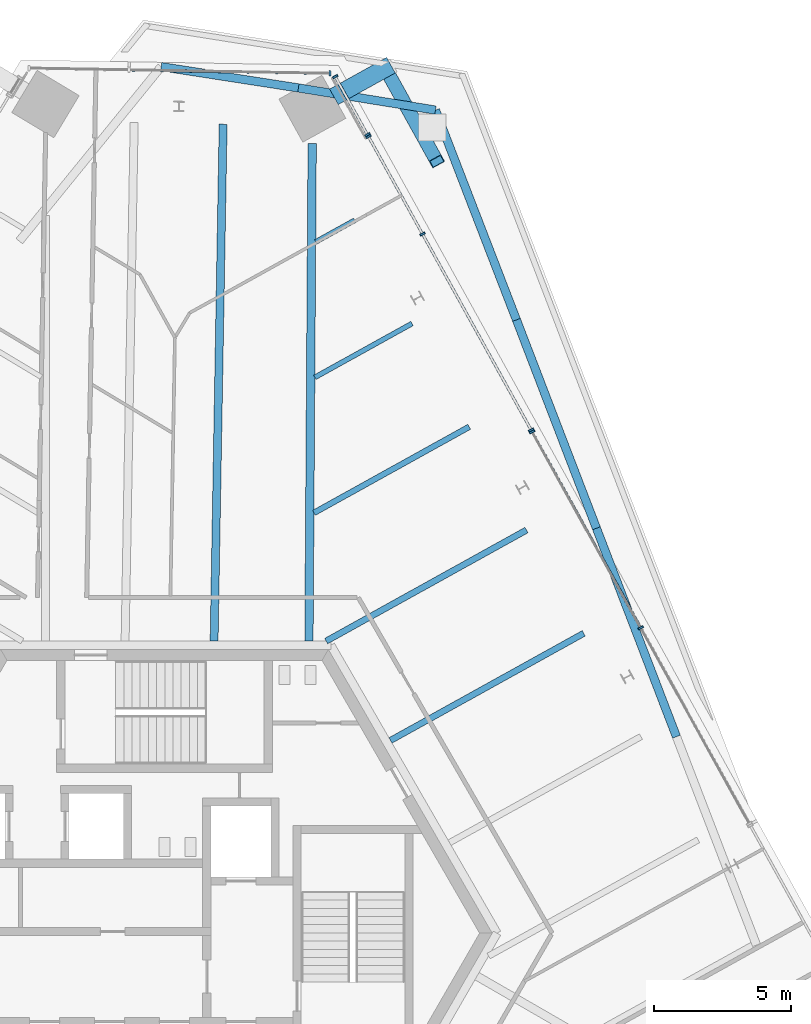
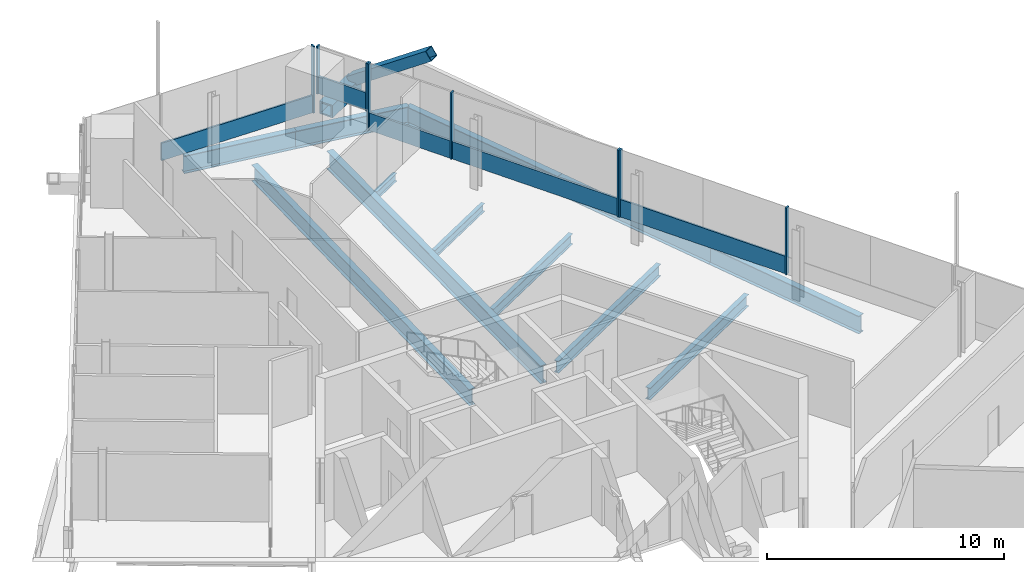
# One storey, part 9 of 22: 15 members, 12 beams, 4 elements without a shape of their own.
"""IFC4 building model written with IfcOpenShell, lengths in metres."""

import ifcopenshell
import ifcopenshell.guid

model = None  # the IFC model being written
_history = None  # IfcOwnerHistory: only IFC2X3 demands one
_inside = {}  # id of a spatial element -> (the spatial element, [elements in it])
_under = {}  # id of a project, library or spatial element -> (it, [spatial elements below it])
_declared = {}  # id of a project -> (the project, [libraries it declares])
_typed = {}  # id of a type object -> (the type object, [elements of that type])
_made_of = {}  # id of a material, layer set ... -> (it, [elements and type objects made of it])


def new_model(schema):
    """Start an empty IFC model of exactly this schema.

    Asked for "IFC4X3", IfcOpenShell would pick the latest addendum, in which some entities
    have other attributes; the version numbers below select the first issue.
    IFC2X3 requires an IfcOwnerHistory on every rooted entity: one is made here for all.
    """
    global model, _history
    if schema == "IFC4X3":
        model = ifcopenshell.file(schema_version=(4, 3, 0, 0))
    else:
        model = ifcopenshell.file(schema=schema)
    _inside.clear()
    _under.clear()
    _declared.clear()
    _typed.clear()
    _made_of.clear()
    _history = None
    if model.schema == "IFC2X3":
        org = make("IfcOrganization", Name="unknown")
        user = make(
            "IfcPersonAndOrganization",
            ThePerson=make("IfcPerson", FamilyName="unknown"),
            TheOrganization=org,
        )
        app = make(
            "IfcApplication",
            ApplicationDeveloper=org,
            Version="unknown",
            ApplicationFullName="unknown",
            ApplicationIdentifier="unknown",
        )
        _history = make(
            "IfcOwnerHistory",
            OwningUser=user,
            OwningApplication=app,
            ChangeAction="ADDED",
            CreationDate=0,
        )
    return model


def make(cls, **values):
    """One entity of the class cls with the attributes given. An attribute that is None is left unset."""
    return model.create_entity(
        cls, **{name: value for name, value in values.items() if value is not None}
    )


def rooted(cls, **values):
    """An entity with a GlobalId (a new one), such as an element, a storey or a relation."""
    return make(cls, GlobalId=ifcopenshell.guid.new(), OwnerHistory=_history, **values)


def si_unit(unit_type, name, prefix=None):
    """IfcSIUnit, for example si_unit("LENGTHUNIT", "METRE", prefix="MILLI")."""
    return make("IfcSIUnit", UnitType=unit_type, Prefix=prefix, Name=name)


def assignment(units):
    """IfcUnitAssignment: the units of a project."""
    return None if units is None else make("IfcUnitAssignment", Units=units)


def point(xyz):
    """IfcCartesianPoint."""
    return None if xyz is None else make("IfcCartesianPoint", Coordinates=xyz)


def direction(xyz):
    """IfcDirection."""
    return None if xyz is None else make("IfcDirection", DirectionRatios=xyz)


def frame(location, z_axis=None, x_axis=None):
    """IfcAxis2Placement3D, a coordinate frame: its origin and axes. An axis left out is left unset."""
    return make(
        "IfcAxis2Placement3D",
        Location=point(location),
        Axis=direction(z_axis),
        RefDirection=direction(x_axis),
    )


def frame_2d(location, x_axis=None):
    """IfcAxis2Placement2D, a coordinate frame in the plane: its origin and x axis."""
    return make(
        "IfcAxis2Placement2D", Location=point(location), RefDirection=direction(x_axis)
    )


def origin():
    """The frame at (0, 0, 0) with its axes left unset."""
    return frame((0.0, 0.0, 0.0))


def origin_2d():
    """The frame at (0, 0) in the plane with its x axis left unset."""
    return frame_2d((0.0, 0.0))


def place(relative_to, where):
    """IfcLocalPlacement: puts the frame where relative to a parent placement (None: the world)."""
    return make(
        "IfcLocalPlacement", PlacementRelTo=relative_to, RelativePlacement=where
    )


def context(
    kind, dimensions, precision=None, world=None, true_north=None, identifier=None
):
    """IfcGeometricRepresentationContext, for example the 3D "Model" context."""
    return make(
        "IfcGeometricRepresentationContext",
        ContextIdentifier=identifier,
        ContextType=kind,
        CoordinateSpaceDimension=dimensions,
        Precision=precision,
        WorldCoordinateSystem=world,
        TrueNorth=true_north,
    )


def subcontext(parent, identifier, kind, view, scale=None):
    """IfcGeometricRepresentationSubContext, for example "Body" below "Model"."""
    return make(
        "IfcGeometricRepresentationSubContext",
        ContextIdentifier=identifier,
        ContextType=kind,
        ParentContext=parent,
        TargetScale=scale,
        TargetView=view,
    )


def project(units=None, contexts=None):
    """IfcProject with its units and contexts."""
    return rooted(
        "IfcProject",
        Name="project",
        RepresentationContexts=contexts,
        UnitsInContext=assignment(units),
    )


def spatial(cls, under=None, at=None, **own):
    """A site, building, storey or space (cls), placed at a placement, below another one or the project."""
    s = rooted(cls, ObjectPlacement=at, **own)
    if under is not None:
        _under.setdefault(under.id(), (under, []))[1].append(s)
    return s


def profile(cls, at=None, kind="AREA", **sizes):
    """A parametric profile (cls). Its sizes go by their IFC names, for example OverallWidth=200.0."""
    return make(cls, ProfileType=kind, Position=at, **sizes)


def rectangle(**sizes):
    """IfcRectangleProfileDef."""
    return profile("IfcRectangleProfileDef", **sizes)


def hollow_rectangle(**sizes):
    """IfcRectangleHollowProfileDef."""
    return profile("IfcRectangleHollowProfileDef", **sizes)


def i_section(**sizes):
    """IfcIShapeProfileDef."""
    return profile("IfcIShapeProfileDef", **sizes)


def extrude(swept, where, along, depth):
    """IfcExtrudedAreaSolid: the profile swept, set in the frame where, extruded along a direction by depth."""
    return make(
        "IfcExtrudedAreaSolid",
        SweptArea=swept,
        Position=where,
        ExtrudedDirection=direction(along),
        Depth=depth,
    )


def shape(context_of_items, identifier, shape_type, items):
    """IfcShapeRepresentation: the items that make up one representation, for example the "Body"."""
    return make(
        "IfcShapeRepresentation",
        ContextOfItems=context_of_items,
        RepresentationIdentifier=identifier,
        RepresentationType=shape_type,
        Items=items,
    )


def source(mapping_origin, context_of_items, identifier, shape_type, items):
    """IfcRepresentationMap: a shape defined once, which mapped items show again and again."""
    return make(
        "IfcRepresentationMap",
        MappingOrigin=mapping_origin,
        MappedRepresentation=shape(context_of_items, identifier, shape_type, items),
    )


def transform(
    local_origin,
    x_axis=None,
    y_axis=None,
    z_axis=None,
    scale=None,
    scale2=None,
    scale3=None,
    uniform=True,
):
    """IfcCartesianTransformationOperator3D, or its non-uniform kind. x_axis, y_axis, z_axis: its Axis1, 2, 3."""
    if uniform:
        return make(
            "IfcCartesianTransformationOperator3D",
            Axis1=direction(x_axis),
            Axis2=direction(y_axis),
            LocalOrigin=point(local_origin),
            Scale=scale,
            Axis3=direction(z_axis),
        )
    return make(
        "IfcCartesianTransformationOperator3DnonUniform",
        Axis1=direction(x_axis),
        Axis2=direction(y_axis),
        LocalOrigin=point(local_origin),
        Scale=scale,
        Axis3=direction(z_axis),
        Scale2=scale2,
        Scale3=scale3,
    )


def mapped(mapping_source, mapping_target):
    """IfcMappedItem: shows the shape of a source again, moved by a transform."""
    return make(
        "IfcMappedItem", MappingSource=mapping_source, MappingTarget=mapping_target
    )


def material(Name=None, Category=None):
    """IfcMaterial."""
    return make("IfcMaterial", Name=Name, Category=Category)


def material_profile(
    of_material, cross_section, Name=None, Category=None, Priority=None
):
    """IfcMaterialProfile: a cross section and its material."""
    return make(
        "IfcMaterialProfile",
        Name=Name,
        Material=of_material,
        Profile=cross_section,
        Priority=Priority,
        Category=Category,
    )


def profile_set(profiles, Name=None, composite=None):
    """IfcMaterialProfileSet."""
    return make(
        "IfcMaterialProfileSet",
        Name=Name,
        MaterialProfiles=profiles,
        CompositeProfile=composite,
    )


def made_of(thing, what):
    """Note that an element or type object is made of a material, layer set ...; save() writes the relation."""
    if what is not None:
        _made_of.setdefault(what.id(), (what, []))[1].append(thing)
    return thing


def type_object(cls, material=None, **own):
    """A type object (cls), such as IfcWallType, which elements share."""
    return made_of(rooted(cls, **own), material)


def element(
    cls,
    number,
    at=None,
    inside=None,
    cuts=None,
    type_object=None,
    material=None,
    context=None,
    identifier="Body",
    shape_type=None,
    held_by="IfcProductDefinitionShape",
    body=None,
    shapes=None,
    **own,
):
    """One element of the class cls, such as IfcWall. Its Tag is "e" and its number.

    at: its placement. inside: the storey or other place that contains it. cuts: it is an
    opening in that element (IfcRelVoidsElement). A single representation is given by context,
    identifier, shape_type and body (its items); several are given by shapes. held_by: the class
    of the entity that holds the representations. save() writes the other relations.
    """
    e = rooted(cls, Tag="e%d" % number, ObjectPlacement=at, **own)
    if body is not None:
        shapes = [shape(context, identifier, shape_type, body)]
    if shapes is not None:
        e.Representation = make(held_by, Representations=shapes)
    if inside is not None:
        _inside.setdefault(inside.id(), (inside, []))[1].append(e)
    if cuts is not None:
        rooted(
            "IfcRelVoidsElement", RelatingBuildingElement=cuts, RelatedOpeningElement=e
        )
    if type_object is not None:
        _typed.setdefault(type_object.id(), (type_object, []))[1].append(e)
    return made_of(e, material)


def aggregate(whole, parts):
    """IfcRelAggregates: a whole, such as a stair, and the parts it consists of."""
    return rooted("IfcRelAggregates", RelatingObject=whole, RelatedObjects=parts)


def save(model, path):
    """Write the relations noted so far, then the file.

    IfcRelAggregates (storeys below a building ...), IfcRelContainedInSpatialStructure (elements
    in a storey), IfcRelDefinesByType, IfcRelAssociatesMaterial and IfcRelDeclares: one each for
    every whole, place, type object, material and project.
    """
    for whole, parts in _under.values():
        aggregate(whole, parts)
    for where, things in _inside.values():
        rooted(
            "IfcRelContainedInSpatialStructure",
            RelatedElements=things,
            RelatingStructure=where,
        )
    for kind, things in _typed.values():
        rooted("IfcRelDefinesByType", RelatedObjects=things, RelatingType=kind)
    for what, things in _made_of.values():
        rooted("IfcRelAssociatesMaterial", RelatedObjects=things, RelatingMaterial=what)
    for by, libraries in _declared.values():
        rooted("IfcRelDeclares", RelatingContext=by, RelatedDefinitions=libraries)
    model.write(path)


model = new_model("IFC4")

# Units and contexts
model_context = context("Model", 3, precision=1e-05, world=origin(), true_north=direction((0.0, 1.0)))
body_context = subcontext(model_context, "Body", "Model", "MODEL_VIEW")
ifc_project = project(units=[si_unit("LENGTHUNIT", "METRE"), si_unit("AREAUNIT", "SQUARE_METRE"), si_unit("VOLUMEUNIT", "CUBIC_METRE"), si_unit("PLANEANGLEUNIT", "RADIAN"), si_unit("MASSUNIT", "GRAM", prefix="KILO")], contexts=[model_context])

# Site, building, storey
site_placement = place(None, origin())
site = spatial("IfcSite", under=ifc_project, at=site_placement, CompositionType="ELEMENT")
building_placement = place(site_placement, origin())
building = spatial("IfcBuilding", under=site, at=building_placement, Name="Triune Harvest Tower", CompositionType="ELEMENT")
storey_placement = place(building_placement, frame((0.0, 0.0, 179.89990234375)))
storey = spatial("IfcBuildingStorey", under=building, at=storey_placement, Name="L46", CompositionType="ELEMENT", Elevation=179.89990234375)

# Beams
ifc_material_1 = material(Name="Steel ASTM A992 Gr 50", Category="steel")
ifc_material_profile_1 = material_profile(ifc_material_1, i_section(OverallWidth=0.307373046875, OverallDepth=0.922119140625, WebThickness=0.018310546875, FlangeThickness=0.030029296875, at=origin_2d()), Name="W36x182")
ifc_profile_set_1 = profile_set([ifc_material_profile_1], Name="Steel ASTM A992 Gr 50")
beam_type_1 = type_object("IfcBeamType", Name="HG-2 Hip girder W36x182", PredefinedType="BEAM", material=ifc_profile_set_1)
beam_1_placement = place(storey_placement, frame((5.40771484375, 28.918701171875, -0.620849609375), z_axis=(-0.006511464935, -0.999978800187, 0.0), x_axis=(0.999978800187, -0.006511464935, 0.0)))
element("IfcBeam", 1, at=beam_1_placement, inside=storey, type_object=beam_type_1, Name="beam/L46/HG3", PredefinedType="BEAM", context=body_context, shape_type="SweptSolid", body=[
    extrude(i_section(OverallWidth=0.307373046875, OverallDepth=0.922119140625, WebThickness=0.018310546875, FlangeThickness=0.030029296875, at=origin_2d()), origin(), (0.0, 0.0, 1.0), 18.22216796875),
])
ifc_material_2 = material(Name="Steel ASTM A992 Gr 50", Category="steel")
ifc_material_profile_2 = material_profile(ifc_material_2, i_section(OverallWidth=0.2099609375, OverallDepth=0.535888671875, WebThickness=0.010986328125, FlangeThickness=0.017333984375, at=origin_2d()), Name="W21x68")
ifc_profile_set_2 = profile_set([ifc_material_profile_2], Name="Steel ASTM A992 Gr 50")
beam_type_2 = type_object("IfcBeamType", Name="JT-2 Floor joist W21x68", PredefinedType="JOIST", material=ifc_profile_set_2)
beam_2_placement = place(storey_placement, frame((11.158203125, 18.544677734375, -0.427978515625), z_axis=(-0.874605153915, -0.484835874028, 0.0), x_axis=(0.484835874028, -0.874605153915, 0.0)))
element("IfcBeam", 2, at=beam_2_placement, inside=storey, type_object=beam_type_2, Name="beam/L46/JT8", PredefinedType="JOIST", context=body_context, shape_type="SweptSolid", body=[
    extrude(i_section(OverallWidth=0.2099609375, OverallDepth=0.535888671875, WebThickness=0.010986328125, FlangeThickness=0.017333984375, at=origin_2d()), origin(), (0.0, 0.0, 1.0), 6.499755859375),
])

# Curtain wall, member
ifc_material_3 = material(Name="Aluminium bronze anodised", Category="aluminium")
curtain_wall_type_1 = type_object("IfcCurtainWallType", Name="CW-7 Tower stick curtain wall with insulated spandrel infill", PredefinedType="NOTDEFINED", material=ifc_material_3)
curtain_wall_1_placement = place(storey_placement, origin())
curtain_wall_1 = element("IfcCurtainWall", 3, at=curtain_wall_1_placement, inside=storey, type_object=curtain_wall_type_1, Name="CW-7 B5-F1 L46 run 2101")
ifc_material_4 = material(Name="Aluminium bronze anodised", Category="aluminium")
ifc_material_profile_3 = material_profile(ifc_material_4, rectangle(XDim=0.090087890625, YDim=0.89990234375, at=origin_2d()), Name="TR-1 transom 90 x 900")
ifc_profile_set_3 = profile_set([ifc_material_profile_3], Name="Aluminium bronze anodised")
member_type_1 = type_object("IfcMemberType", Name="TR-1 transom 90 x 900", PredefinedType="USERDEFINED", material=ifc_profile_set_3)
member_1_placement = place(storey_placement, frame((9.430419921875, 25.63720703125, 0.4501953125), z_axis=(-0.48481530532, 0.874616555828, 0.0), x_axis=(-0.874616555828, -0.48481530532, 0.0)))
member_1 = element("IfcMember", 4, at=member_1_placement, type_object=member_type_1, Name="CW-7 transom B5-F1 2101.2", ObjectType="TRANSOM", PredefinedType="USERDEFINED", context=body_context, shape_type="SweptSolid", body=[
    extrude(rectangle(XDim=0.090087890625, YDim=0.89990234375, at=origin_2d()), origin(), (0.0, 0.0, 1.0), 4.008544921875),
])

curtain_wall_2_placement = place(storey_placement, origin())
curtain_wall_2 = element("IfcCurtainWall", 5, at=curtain_wall_2_placement, inside=storey, type_object=curtain_wall_type_1, Name="CW-7 B5-F1 L46 run 201")
member_2_placement = place(storey_placement, frame((7.414306640625, 29.274169921875, 1.43505859375), z_axis=(-0.484808028928, 0.87462058922, 0.0), x_axis=(-0.87462058922, -0.484808028928, 0.0)))
member_2 = element("IfcMember", 6, at=member_2_placement, type_object=member_type_1, Name="CW-7 transom B5-F1 201.1", ObjectType="TRANSOM", PredefinedType="USERDEFINED", context=body_context, shape_type="SweptSolid", body=[
    extrude(rectangle(XDim=0.090087890625, YDim=0.89990234375, at=origin_2d()), origin(), (0.0, 0.0, 1.0), 2.359375),
])

# Beams
ifc_material_5 = material(Name="Steel ASTM A992 Gr 50", Category="steel")
ifc_material_profile_4 = material_profile(ifc_material_5, i_section(OverallWidth=0.3046875, OverallDepth=0.914306640625, WebThickness=0.0166015625, FlangeThickness=0.02587890625, at=origin_2d()), Name="W36x160")
ifc_profile_set_4 = profile_set([ifc_material_profile_4], Name="Steel ASTM A992 Gr 50")
beam_type_3 = type_object("IfcBeamType", Name="SB-1 Spandrel beam W36x160", PredefinedType="SPANDREL", material=ifc_profile_set_4)
shared_shape_1 = source(origin(), body_context, "Body", "SweptSolid", [
    extrude(i_section(OverallWidth=0.3046875, OverallDepth=0.914306640625, WebThickness=0.0166015625, FlangeThickness=0.02587890625, at=origin_2d()), origin(), (0.0, 0.0, 1.0), 8.235107421875),
])
beam_3_placement = place(storey_placement, frame((12.888671875, 22.460693359375, -0.6171875), z_axis=(-0.360174728542, 0.932884861556, 0.0), x_axis=(-0.932884861556, -0.360174728542, 0.0)))
element("IfcBeam", 7, at=beam_3_placement, inside=storey, type_object=beam_type_3, Name="beam/L46/WB5", PredefinedType="SPANDREL", context=body_context, shape_type="MappedRepresentation", body=[
    mapped(shared_shape_1, transform((0.0, 0.0, 0.0), scale=1.0)),
])
shared_shape_2 = source(origin(), body_context, "Body", "SweptSolid", [
    extrude(i_section(OverallWidth=0.3046875, OverallDepth=0.914306640625, WebThickness=0.0166015625, FlangeThickness=0.02587890625, at=origin_2d()), origin(), (0.0, 0.0, 1.0), 8.175048828125),
])
beam_4_placement = place(storey_placement, frame((15.818359375, 14.82861328125, -0.6171875), z_axis=(-0.358368636722, 0.933580162714, 0.0), x_axis=(-0.933580162714, -0.358368636722, 0.0)))
element("IfcBeam", 8, at=beam_4_placement, inside=storey, type_object=beam_type_3, Name="beam/L46/WB4", PredefinedType="SPANDREL", context=body_context, shape_type="MappedRepresentation", body=[
    mapped(shared_shape_2, transform((0.0, 0.0, 0.0), scale=1.0)),
])
shared_shape_3 = source(origin(), body_context, "Body", "SweptSolid", [
    extrude(i_section(OverallWidth=0.3046875, OverallDepth=0.914306640625, WebThickness=0.0166015625, FlangeThickness=0.02587890625, at=origin_2d()), origin(), (0.0, 0.0, 1.0), 8.1748046875),
])
beam_5_placement = place(storey_placement, frame((18.748046875, 7.19677734375, -0.6171875), z_axis=(-0.358378628473, 0.933576327171, 0.0), x_axis=(-0.933576327171, -0.358378628473, 0.0)))
element("IfcBeam", 9, at=beam_5_placement, inside=storey, type_object=beam_type_3, Name="beam/L46/WB3", PredefinedType="SPANDREL", context=body_context, shape_type="MappedRepresentation", body=[
    mapped(shared_shape_3, transform((0.0, 0.0, 0.0), scale=1.0)),
])
shared_shape_4 = source(origin(), body_context, "Body", "SweptSolid", [
    extrude(i_section(OverallWidth=0.3046875, OverallDepth=0.914306640625, WebThickness=0.0166015625, FlangeThickness=0.02587890625, at=origin_2d()), origin(), (0.0, 0.0, 1.0), 5.085205078125),
])
beam_6_placement = place(storey_placement, frame((9.922607421875, 30.14306640625, -0.6171875), z_axis=(-0.987191650598, 0.159538851033, 0.0), x_axis=(-0.159538851033, -0.987191650598, 0.0)))
element("IfcBeam", 10, at=beam_6_placement, inside=storey, type_object=beam_type_3, Name="beam/L46/WB6", PredefinedType="SPANDREL", context=body_context, shape_type="MappedRepresentation", body=[
    mapped(shared_shape_4, transform((0.0, 0.0, 0.0), scale=1.0)),
])
shared_shape_5 = source(origin(), body_context, "Body", "SweptSolid", [
    extrude(i_section(OverallWidth=0.3046875, OverallDepth=0.914306640625, WebThickness=0.0166015625, FlangeThickness=0.02587890625, at=origin_2d()), origin(), (0.0, 0.0, 1.0), 5.0849609375),
])
beam_7_placement = place(storey_placement, frame((4.902587890625, 30.954345703125, -0.6171875), z_axis=(-0.98817942164, 0.153301763351, 0.0), x_axis=(-0.153301763351, -0.98817942164, 0.0)))
element("IfcBeam", 11, at=beam_7_placement, inside=storey, type_object=beam_type_3, Name="beam/L46/WB7", PredefinedType="SPANDREL", context=body_context, shape_type="MappedRepresentation", body=[
    mapped(shared_shape_5, transform((0.0, 0.0, 0.0), scale=1.0)),
])
ifc_material_6 = material(Name="Steel ASTM A992 Gr 50", Category="steel")
ifc_material_profile_5 = material_profile(ifc_material_6, i_section(OverallWidth=0.22900390625, OverallDepth=0.612060546875, WebThickness=0.011962890625, FlangeThickness=0.01953125, at=origin_2d()), Name="W24x84")
ifc_profile_set_5 = profile_set([ifc_material_profile_5], Name="Steel ASTM A992 Gr 50")
beam_type_4 = type_object("IfcBeamType", Name="JT-3 Floor joist W24x84", PredefinedType="JOIST", material=ifc_profile_set_5)
shared_shape_6 = source(origin(), body_context, "Body", "SweptSolid", [
    extrude(i_section(OverallWidth=0.22900390625, OverallDepth=0.612060546875, WebThickness=0.011962890625, FlangeThickness=0.01953125, at=origin_2d()), origin(), (0.0, 0.0, 1.0), 8.0888671875),
])
beam_8_placement = place(storey_placement, frame((15.350830078125, 10.98095703125, -0.466064453125), z_axis=(-0.874616734073, -0.484814983761, 0.0), x_axis=(0.484814983761, -0.874616734073, 0.0)))
element("IfcBeam", 12, at=beam_8_placement, inside=storey, type_object=beam_type_4, Name="beam/L46/JT6", PredefinedType="JOIST", context=body_context, shape_type="MappedRepresentation", body=[
    mapped(shared_shape_6, transform((0.0, 0.0, 0.0), scale=1.0)),
])
shared_shape_7 = source(origin(), body_context, "Body", "SweptSolid", [
    extrude(i_section(OverallWidth=0.22900390625, OverallDepth=0.612060546875, WebThickness=0.011962890625, FlangeThickness=0.01953125, at=origin_2d()), origin(), (0.0, 0.0, 1.0), 8.38623046875),
])
beam_9_placement = place(storey_placement, frame((13.254638671875, 14.7626953125, -0.466064453125), z_axis=(-0.874621025914, -0.484807241106, 0.0), x_axis=(0.484807241106, -0.874621025914, 0.0)))
element("IfcBeam", 13, at=beam_9_placement, inside=storey, type_object=beam_type_4, Name="beam/L46/JT7", PredefinedType="JOIST", context=body_context, shape_type="MappedRepresentation", body=[
    mapped(shared_shape_7, transform((0.0, 0.0, 0.0), scale=1.0)),
])
ifc_material_7 = material(Name="Steel ASTM A992 Gr 50", Category="steel")
ifc_material_profile_6 = material_profile(ifc_material_7, i_section(OverallWidth=0.180908203125, OverallDepth=0.41650390625, WebThickness=0.010986328125, FlangeThickness=0.01806640625, at=origin_2d()), Name="W16x57")
ifc_profile_set_6 = profile_set([ifc_material_profile_6], Name="Steel ASTM A992 Gr 50")
beam_type_5 = type_object("IfcBeamType", Name="JT-1 Floor joist W16x57", PredefinedType="JOIST", material=ifc_profile_set_6)
shared_shape_8 = source(origin(), body_context, "Body", "SweptSolid", [
    extrude(i_section(OverallWidth=0.180908203125, OverallDepth=0.41650390625, WebThickness=0.010986328125, FlangeThickness=0.01806640625, at=origin_2d()), origin(), (0.0, 0.0, 1.0), 4.066162109375),
])
beam_10_placement = place(storey_placement, frame((9.06201171875, 22.326416015625, -0.3681640625), z_axis=(-0.874610031481, -0.484827075185, 0.0), x_axis=(0.484827075185, -0.874610031481, 0.0)))
element("IfcBeam", 14, at=beam_10_placement, inside=storey, type_object=beam_type_5, Name="beam/L46/JT9", PredefinedType="JOIST", context=body_context, shape_type="MappedRepresentation", body=[
    mapped(shared_shape_8, transform((0.0, 0.0, 0.0), scale=1.0)),
])
shared_shape_9 = source(origin(), body_context, "Body", "SweptSolid", [
    extrude(i_section(OverallWidth=0.180908203125, OverallDepth=0.41650390625, WebThickness=0.010986328125, FlangeThickness=0.01806640625, at=origin_2d()), origin(), (0.0, 0.0, 1.0), 1.63232421875),
])
beam_11_placement = place(storey_placement, frame((6.9658203125, 26.108154296875, -0.3681640625), z_axis=(-0.874657713708, -0.484741048243, 0.0), x_axis=(0.484741048243, -0.874657713708, 0.0)))
element("IfcBeam", 15, at=beam_11_placement, inside=storey, type_object=beam_type_5, Name="beam/L46/JT10", PredefinedType="JOIST", context=body_context, shape_type="MappedRepresentation", body=[
    mapped(shared_shape_9, transform((0.0, 0.0, 0.0), scale=1.0)),
])
ifc_material_8 = material(Name="Steel ASTM A992 Gr 50", Category="steel")
ifc_material_profile_7 = material_profile(ifc_material_8, i_section(OverallWidth=0.2919921875, OverallDepth=0.8408203125, WebThickness=0.0146484375, FlangeThickness=0.021728515625, at=origin_2d()), Name="W33x130")
ifc_profile_set_7 = profile_set([ifc_material_profile_7], Name="Steel ASTM A992 Gr 50")
beam_type_6 = type_object("IfcBeamType", Name="JT-6 Floor joist W33x130", PredefinedType="JOIST", material=ifc_profile_set_7)
shared_shape_10 = source(origin(), body_context, "Body", "SweptSolid", [
    extrude(i_section(OverallWidth=0.2919921875, OverallDepth=0.8408203125, WebThickness=0.0146484375, FlangeThickness=0.021728515625, at=origin_2d()), origin(), (0.0, 0.0, 1.0), 18.930908203125),
])
beam_12_placement = place(storey_placement, frame((2.146728515625, 29.625, -0.580322265625), z_axis=(-0.017448877386, -0.99984775675, 0.0), x_axis=(0.99984775675, -0.017448877386, 0.0)))
element("IfcBeam", 16, at=beam_12_placement, inside=storey, type_object=beam_type_6, Name="beam/L46/JT11", PredefinedType="JOIST", context=body_context, shape_type="MappedRepresentation", body=[
    mapped(shared_shape_10, transform((0.0, 0.0, 0.0), scale=1.0)),
])

# Members
ifc_material_9 = material(Name="Steel ASTM A572 Gr 50", Category="steel")
ifc_material_profile_8 = material_profile(ifc_material_9, hollow_rectangle(XDim=0.5, YDim=0.5, WallThickness=0.030029296875, at=origin_2d()), Name="Box 500x500x30")
ifc_profile_set_8 = profile_set([ifc_material_profile_8], Name="Steel ASTM A572 Gr 50")
member_type_2 = type_object("IfcMemberType", Name="BR-3 Brace Box 500x500x30", PredefinedType="BRACE", material=ifc_profile_set_8)
shared_shape_11 = source(origin(), body_context, "Body", "SweptSolid", [
    extrude(hollow_rectangle(XDim=0.5, YDim=0.5, WallThickness=0.030029296875, at=origin_2d()), origin(), (0.0, 0.0, 1.0), 4.74462890625),
])
member_3_placement = place(storey_placement, frame((8.08544921875, 31.672607421875, 0.89013671875), z_axis=(0.397960909457, -0.717914482641, 0.571161894876), x_axis=(0.874612261352, 0.484823052559, 0.0)))
element("IfcMember", 17, at=member_3_placement, inside=storey, type_object=member_type_2, Name="brace/B5-F1/d2/1", PredefinedType="BRACE", context=body_context, shape_type="MappedRepresentation", body=[
    mapped(shared_shape_11, transform((0.0, 0.0, 0.0), scale=1.0)),
])
ifc_material_10 = material(Name="Steel ASTM A572 Gr 50", Category="steel")
ifc_material_profile_9 = material_profile(ifc_material_10, hollow_rectangle(XDim=0.64990234375, YDim=0.64990234375, WallThickness=0.070068359375, at=origin_2d()), Name="Box 650x650x70")
ifc_profile_set_9 = profile_set([ifc_material_profile_9], Name="Steel ASTM A572 Gr 50")
member_type_3 = type_object("IfcMemberType", Name="BS-1 Brace stub Box 650x650x70", PredefinedType="STRUT", material=ifc_profile_set_9)
shared_shape_12 = source(origin(), body_context, "Body", "SweptSolid", [
    extrude(hollow_rectangle(XDim=0.64990234375, YDim=0.64990234375, WallThickness=0.070068359375, at=origin_2d()), origin(), (0.0, 0.0, 1.0), 2.386962890625),
])
member_4_placement = place(storey_placement, frame((6.203369140625, 30.62939453125, 0.60009765625), z_axis=(0.874615226924, 0.48481770268, 0.0), x_axis=(-0.48481770268, 0.874615226924, 0.0)))
element("IfcMember", 18, at=member_4_placement, inside=storey, type_object=member_type_3, Name="brace/B5-F1/stub3", PredefinedType="STRUT", context=body_context, shape_type="MappedRepresentation", body=[
    mapped(shared_shape_12, transform((0.0, 0.0, 0.0), scale=1.0)),
])

# Curtain wall, members
ifc_material_11 = material(Name="Aluminium bronze anodised", Category="aluminium")
curtain_wall_type_2 = type_object("IfcCurtainWallType", Name="CW-1 Tower stick curtain wall", PredefinedType="NOTDEFINED", material=ifc_material_11)
curtain_wall_3_placement = place(storey_placement, origin())
curtain_wall_3 = element("IfcCurtainWall", 19, at=curtain_wall_3_placement, inside=storey, type_object=curtain_wall_type_2, Name="CW-1 B5-F1 L46 run 1101")
ifc_material_12 = material(Name="Aluminium bronze anodised", Category="aluminium")
ifc_material_profile_10 = material_profile(ifc_material_12, rectangle(XDim=0.199951171875, YDim=0.074951171875, at=origin_2d()), Name="MU-1 mullion 75 x 200")
ifc_profile_set_10 = profile_set([ifc_material_profile_10], Name="Aluminium bronze anodised")
member_type_4 = type_object("IfcMemberType", Name="MU-1 mullion 75 x 200", PredefinedType="MULLION", material=ifc_profile_set_10)
shared_shape_13 = source(origin(), body_context, "Body", "SweptSolid", [
    extrude(rectangle(XDim=0.199951171875, YDim=0.074951171875, at=origin_2d()), origin(), (0.0, 0.0, 1.0), 3.440185546875),
])
member_5_placement = place(storey_placement, frame((17.440185546875, 11.18701171875, 0.0), z_axis=(0.0, 0.0, 1.0), x_axis=(-0.874620733173, -0.484807769227, 0.0)))
member_5 = element("IfcMember", 20, at=member_5_placement, type_object=member_type_4, Name="CW-1 mullion B5-F1 1101.3", PredefinedType="MULLION", context=body_context, shape_type="MappedRepresentation", body=[
    mapped(shared_shape_13, transform((0.0, 0.0, 0.0), scale=1.0)),
])
member_6_placement = place(storey_placement, frame((13.46240234375, 18.36279296875, 0.0), z_axis=(0.0, 0.0, 1.0), x_axis=(-0.874620733173, -0.484807769227, 0.0)))
member_6 = element("IfcMember", 21, at=member_6_placement, type_object=member_type_4, Name="CW-1 mullion B5-F1 1101.5", PredefinedType="MULLION", context=body_context, shape_type="MappedRepresentation", body=[
    mapped(shared_shape_13, transform((0.0, 0.0, 0.0), scale=1.0)),
])

# Member
member_7_placement = place(storey_placement, frame((13.426025390625, 18.428466796875, 0.0), z_axis=(0.0, 0.0, 1.0), x_axis=(-0.874619307307, -0.484810341563, 0.0)))
member_7 = element("IfcMember", 22, at=member_7_placement, type_object=member_type_4, Name="CW-7 mullion B5-F1 2101.1", PredefinedType="MULLION", context=body_context, shape_type="MappedRepresentation", body=[
    mapped(shared_shape_13, transform((0.0, 0.0, 0.0), scale=1.0)),
])

member_8_placement = place(storey_placement, frame((9.448486328125, 25.604248046875, 0.0), z_axis=(0.0, 0.0, 1.0), x_axis=(-0.874619307307, -0.484810341563, 0.0)))
member_8 = element("IfcMember", 23, at=member_8_placement, type_object=member_type_4, Name="CW-7 mullion B5-F1 2101.3", PredefinedType="MULLION", context=body_context, shape_type="MappedRepresentation", body=[
    mapped(shared_shape_13, transform((0.0, 0.0, 0.0), scale=1.0)),
])

member_9_placement = place(storey_placement, frame((7.46875, 29.17578125, 0.0), z_axis=(0.0, 0.0, 1.0), x_axis=(-0.874619307307, -0.484810341563, 0.0)))
member_9 = element("IfcMember", 24, at=member_9_placement, type_object=member_type_4, Name="CW-7 mullion B5-F1 2101.4", PredefinedType="MULLION", context=body_context, shape_type="MappedRepresentation", body=[
    mapped(shared_shape_13, transform((0.0, 0.0, 0.0), scale=1.0)),
])

# Curtain wall, member
curtain_wall_4_placement = place(storey_placement, origin())
curtain_wall_4 = element("IfcCurtainWall", 25, at=curtain_wall_4_placement, inside=storey, type_object=curtain_wall_type_2, Name="CW-1 B5-F2 L46 run 1")
member_10_placement = place(storey_placement, frame((6.06298828125, 31.484130859375, 0.0), z_axis=(0.0, 0.0, 1.0), x_axis=(-0.017446318452, -0.999847801404, 0.0)))
member_10 = element("IfcMember", 26, at=member_10_placement, type_object=member_type_4, Name="CW-1 mullion B5-F2 1.1", PredefinedType="MULLION", context=body_context, shape_type="MappedRepresentation", body=[
    mapped(shared_shape_13, transform((0.0, 0.0, 0.0), scale=1.0)),
])

# Member
shared_shape_14 = source(origin(), body_context, "Body", "SweptSolid", [
    extrude(rectangle(XDim=0.199951171875, YDim=0.074951171875, at=origin_2d()), origin(), (0.0, 0.0, 1.0), 2.455078125),
])
member_11_placement = place(storey_placement, frame((7.432373046875, 29.241455078125, 0.985107421875), z_axis=(0.0, 0.0, 1.0), x_axis=(-0.874617450196, -0.484813691858, 0.0)))
member_11 = element("IfcMember", 27, at=member_11_placement, type_object=member_type_4, Name="CW-7 mullion B5-F1 201.1", PredefinedType="MULLION", context=body_context, shape_type="MappedRepresentation", body=[
    mapped(shared_shape_14, transform((0.0, 0.0, 0.0), scale=1.0)),
])

member_12_placement = place(storey_placement, frame((6.252197265625, 31.370361328125, 0.985107421875), z_axis=(0.0, 0.0, 1.0), x_axis=(-0.874617450196, -0.484813691858, 0.0)))
member_12 = element("IfcMember", 28, at=member_12_placement, type_object=member_type_4, Name="CW-7 mullion B5-F1 201.2", PredefinedType="MULLION", context=body_context, shape_type="MappedRepresentation", body=[
    mapped(shared_shape_14, transform((0.0, 0.0, 0.0), scale=1.0)),
])

aggregate(curtain_wall_2, [member_11, member_12, member_2])

shared_shape_15 = source(origin(), body_context, "Body", "SweptSolid", [
    extrude(rectangle(XDim=0.090087890625, YDim=0.89990234375, at=origin_2d()), origin(), (0.0, 0.0, 1.0), 8.129638671875),
])
member_13_placement = place(storey_placement, frame((17.421875, 11.2197265625, 0.4501953125), z_axis=(-0.484793612487, 0.874628580194, 0.0), x_axis=(-0.874628580194, -0.484793612487, 0.0)))
member_13 = element("IfcMember", 29, at=member_13_placement, type_object=member_type_1, Name="CW-1 transom B5-F1 1101.2", ObjectType="TRANSOM", PredefinedType="USERDEFINED", context=body_context, shape_type="MappedRepresentation", body=[
    mapped(shared_shape_15, transform((0.0, 0.0, 0.0), scale=1.0)),
])

aggregate(curtain_wall_3, [member_5, member_6, member_13])

member_14_placement = place(storey_placement, frame((13.407958984375, 18.461181640625, 0.4501953125), z_axis=(-0.484793612487, 0.874628580194, 0.0), x_axis=(-0.874628580194, -0.484793612487, 0.0)))
member_14 = element("IfcMember", 30, at=member_14_placement, type_object=member_type_1, Name="CW-7 transom B5-F1 2101.1", ObjectType="TRANSOM", PredefinedType="USERDEFINED", context=body_context, shape_type="MappedRepresentation", body=[
    mapped(shared_shape_15, transform((0.0, 0.0, 0.0), scale=1.0)),
])

aggregate(curtain_wall_1, [member_7, member_8, member_9, member_14, member_1])

shared_shape_16 = source(origin(), body_context, "Body", "SweptSolid", [
    extrude(rectangle(XDim=0.090087890625, YDim=0.89990234375, at=origin_2d()), origin(), (0.0, 0.0, 1.0), 7.287841796875),
])
member_15_placement = place(storey_placement, frame((6.025634765625, 31.48486328125, 0.4501953125), z_axis=(-0.999848258084, 0.017420126456, 0.0), x_axis=(-0.017420126456, -0.999848258084, 0.0)))
member_15 = element("IfcMember", 31, at=member_15_placement, type_object=member_type_1, Name="CW-1 transom B5-F2 1.1", ObjectType="TRANSOM", PredefinedType="USERDEFINED", context=body_context, shape_type="MappedRepresentation", body=[
    mapped(shared_shape_16, transform((0.0, 0.0, 0.0), scale=1.0)),
])

aggregate(curtain_wall_4, [member_10, member_15])

save(model, "model.ifc")
